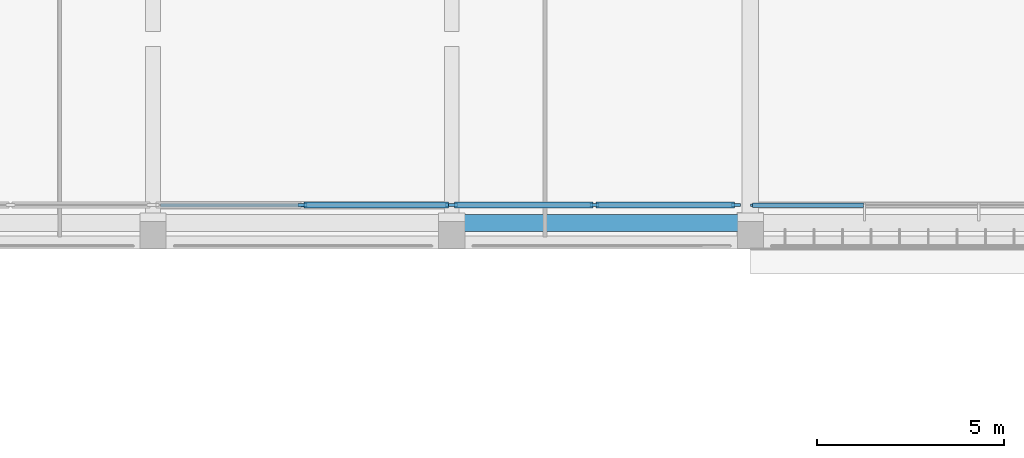
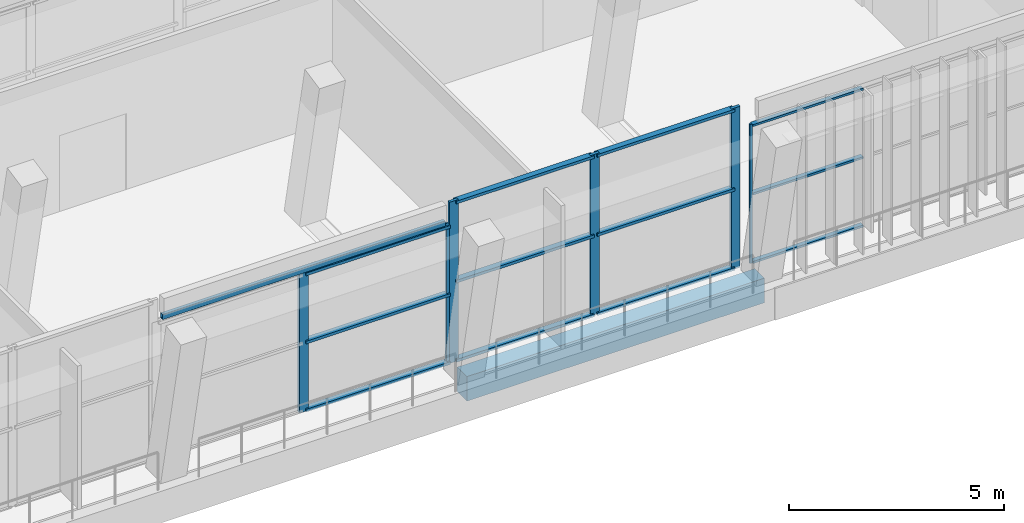
# One storey, part 6 of 73: 18 members, 2 beams, 3 elements without a shape of their own.
"""IFC4 building model written with IfcOpenShell, lengths in metres."""

from ifc_helpers import new_model, si_unit, direction, frame, origin, origin_2d, place, context, subcontext, project, spatial, rectangle, hollow_rectangle, extrude, material, material_profile, profile_set, type_object, element, aggregate, save


model = new_model("IFC4")

# Units and contexts
model_context = context("Model", 3, precision=1e-05, world=origin(), true_north=direction((0.0, 1.0)))
body_context = subcontext(model_context, "Body", "Model", "MODEL_VIEW")
ifc_project = project(units=[si_unit("LENGTHUNIT", "METRE"), si_unit("AREAUNIT", "SQUARE_METRE"), si_unit("VOLUMEUNIT", "CUBIC_METRE"), si_unit("PLANEANGLEUNIT", "RADIAN"), si_unit("MASSUNIT", "GRAM", prefix="KILO")], contexts=[model_context])

# Site, building, storey
site_placement = place(None, origin())
site = spatial("IfcSite", under=ifc_project, at=site_placement, CompositionType="ELEMENT")
building_placement = place(site_placement, origin())
building = spatial("IfcBuilding", under=site, at=building_placement, Name="Lantern Court Media Centre", CompositionType="ELEMENT")
storey_placement = place(building_placement, frame((0.0, 0.0, 24.0)))
storey = spatial("IfcBuildingStorey", under=building, at=storey_placement, Name="L05", CompositionType="ELEMENT", Elevation=24.0)

# Curtain wall, member
ifc_material_1 = material(Name="Curtain wall bay 3000")
curtain_wall_type_1 = type_object("IfcCurtainWallType", Name="Curtain wall bay 3000", PredefinedType="NOTDEFINED", material=ifc_material_1)
curtain_wall_1_placement = place(storey_placement, origin())
curtain_wall_1 = element("IfcCurtainWall", 1, at=curtain_wall_1_placement, inside=storey, type_object=curtain_wall_type_1, Name="Curtain wall S outer L05", PredefinedType="NOTDEFINED")
ifc_material_2 = material(Name="Anodised aluminium", Category="aluminium")
ifc_material_profile_1 = material_profile(ifc_material_2, rectangle(XDim=0.06005859375, YDim=0.06005859375, at=origin_2d()), Name="AL 60x60")
ifc_profile_set_1 = profile_set([ifc_material_profile_1], Name="Anodised aluminium")
member_type_1 = type_object("IfcMemberType", Name="Curtain wall mullion 60x60", PredefinedType="MULLION", material=ifc_profile_set_1)
member_1_placement = place(storey_placement, frame((64.030029296875, 44.14990234375, 0.0), z_axis=(0.0, 0.0, 1.0), x_axis=(0.0, 1.0, 0.0)))
member_1 = element("IfcMember", 2, at=member_1_placement, type_object=member_type_1, Name="CW1 mullion 1", PredefinedType="MULLION", context=body_context, shape_type="SweptSolid", body=[
    extrude(rectangle(XDim=0.06005859375, YDim=0.06005859375, at=origin_2d()), origin(), (0.0, 0.0, 1.0), 3.949951171875),
])

# Curtain wall, members
ifc_material_3 = material(Name="Curtain wall bay 4000")
curtain_wall_type_2 = type_object("IfcCurtainWallType", Name="Curtain wall bay 4000", PredefinedType="NOTDEFINED", material=ifc_material_3)
curtain_wall_2_placement = place(storey_placement, origin())
curtain_wall_2 = element("IfcCurtainWall", 3, at=curtain_wall_2_placement, inside=storey, type_object=curtain_wall_type_2, Name="Curtain wall S outer L05", PredefinedType="NOTDEFINED")
ifc_material_profile_2 = material_profile(ifc_material_2, rectangle(XDim=0.080078125, YDim=0.239990234375, at=origin_2d()), Name="AL 80x240")
ifc_profile_set_2 = profile_set([ifc_material_profile_2], Name="Anodised aluminium")
member_type_2 = type_object("IfcMemberType", Name="Curtain wall mullion 80x240", PredefinedType="MULLION", material=ifc_profile_set_2)
member_2_placement = place(storey_placement, frame((52.0, 44.14990234375, 0.0), z_axis=(0.0, 0.0, 1.0), x_axis=(0.0, 1.0, 0.0)))
member_2 = element("IfcMember", 4, at=member_2_placement, type_object=member_type_2, Name="CW3 mullion 2", PredefinedType="MULLION", context=body_context, shape_type="SweptSolid", body=[
    extrude(rectangle(XDim=0.080078125, YDim=0.239990234375, at=origin_2d()), origin(), (0.0, 0.0, 1.0), 3.949951171875),
])
member_3_placement = place(storey_placement, frame((55.9599609375, 44.14990234375, 0.0), z_axis=(0.0, 0.0, 1.0), x_axis=(0.0, 1.0, 0.0)))
member_3 = element("IfcMember", 5, at=member_3_placement, type_object=member_type_2, Name="CW3 mullion 3", PredefinedType="MULLION", context=body_context, shape_type="SweptSolid", body=[
    extrude(rectangle(XDim=0.080078125, YDim=0.239990234375, at=origin_2d()), origin(), (0.0, 0.0, 1.0), 3.949951171875),
])

curtain_wall_3_placement = place(storey_placement, origin())
curtain_wall_3 = element("IfcCurtainWall", 6, at=curtain_wall_3_placement, inside=storey, type_object=curtain_wall_type_2, Name="Curtain wall S outer L05", PredefinedType="NOTDEFINED")
member_4_placement = place(storey_placement, frame((56.0400390625, 44.14990234375, 0.0), z_axis=(0.0, 0.0, 1.0), x_axis=(0.0, 1.0, 0.0)))
member_4 = element("IfcMember", 7, at=member_4_placement, type_object=member_type_2, Name="CW3 mullion 1", PredefinedType="MULLION", context=body_context, shape_type="SweptSolid", body=[
    extrude(rectangle(XDim=0.080078125, YDim=0.239990234375, at=origin_2d()), origin(), (0.0, 0.0, 1.0), 4.580078125),
])
member_5_placement = place(storey_placement, frame((59.824951171875, 44.14990234375, 0.0), z_axis=(0.0, 0.0, 1.0), x_axis=(0.0, 1.0, 0.0)))
member_5 = element("IfcMember", 8, at=member_5_placement, type_object=member_type_2, Name="CW3 mullion 2", PredefinedType="MULLION", context=body_context, shape_type="SweptSolid", body=[
    extrude(rectangle(XDim=0.080078125, YDim=0.239990234375, at=origin_2d()), origin(), (0.0, 0.0, 1.0), 4.580078125),
])
member_6_placement = place(storey_placement, frame((63.610107421875, 44.14990234375, 0.0), z_axis=(0.0, 0.0, 1.0), x_axis=(0.0, 1.0, 0.0)))
member_6 = element("IfcMember", 9, at=member_6_placement, type_object=member_type_2, Name="CW3 mullion 3", PredefinedType="MULLION", context=body_context, shape_type="SweptSolid", body=[
    extrude(rectangle(XDim=0.080078125, YDim=0.239990234375, at=origin_2d()), origin(), (0.0, 0.0, 1.0), 4.580078125),
])

# Member
ifc_material_profile_3 = material_profile(ifc_material_2, rectangle(XDim=0.159912109375, YDim=0.080078125, at=origin_2d()), Name="AL 80x160")
ifc_profile_set_3 = profile_set([ifc_material_profile_3], Name="Anodised aluminium")
member_type_3 = type_object("IfcMemberType", Name="Curtain wall transom 160x80", PredefinedType="USERDEFINED", material=ifc_profile_set_3)
member_7_placement = place(storey_placement, frame((52.0400390625, 44.14990234375, 0.0400390625), z_axis=(1.0, 0.0, 0.0), x_axis=(0.0, 1.0, 0.0)))
member_7 = element("IfcMember", 10, at=member_7_placement, type_object=member_type_3, Name="CW3 transom 2.1", ObjectType="TRANSOM", PredefinedType="USERDEFINED", context=body_context, shape_type="SweptSolid", body=[
    extrude(rectangle(XDim=0.159912109375, YDim=0.080078125, at=origin_2d()), origin(), (0.0, 0.0, 1.0), 3.8798828125),
])

member_8_placement = place(storey_placement, frame((52.0400390625, 44.14990234375, 1.97509765625), z_axis=(1.0, 0.0, 0.0), x_axis=(0.0, 1.0, 0.0)))
member_8 = element("IfcMember", 11, at=member_8_placement, type_object=member_type_3, Name="CW3 transom 2.2", ObjectType="TRANSOM", PredefinedType="USERDEFINED", context=body_context, shape_type="SweptSolid", body=[
    extrude(rectangle(XDim=0.159912109375, YDim=0.080078125, at=origin_2d()), origin(), (0.0, 0.0, 1.0), 3.8798828125),
])

member_9_placement = place(storey_placement, frame((52.0400390625, 44.14990234375, 3.909912109375), z_axis=(1.0, 0.0, 0.0), x_axis=(0.0, 1.0, 0.0)))
member_9 = element("IfcMember", 12, at=member_9_placement, type_object=member_type_3, Name="CW3 transom 2.3", ObjectType="TRANSOM", PredefinedType="USERDEFINED", context=body_context, shape_type="SweptSolid", body=[
    extrude(rectangle(XDim=0.159912109375, YDim=0.080078125, at=origin_2d()), origin(), (0.0, 0.0, 1.0), 3.8798828125),
])

aggregate(curtain_wall_2, [member_2, member_3, member_7, member_8, member_9])

member_10_placement = place(storey_placement, frame((56.080078125, 44.14990234375, 0.0400390625), z_axis=(1.0, 0.0, 0.0), x_axis=(0.0, 1.0, 0.0)))
member_10 = element("IfcMember", 13, at=member_10_placement, type_object=member_type_3, Name="CW3 transom 1.1", ObjectType="TRANSOM", PredefinedType="USERDEFINED", context=body_context, shape_type="SweptSolid", body=[
    extrude(rectangle(XDim=0.159912109375, YDim=0.080078125, at=origin_2d()), origin(), (0.0, 0.0, 1.0), 3.704833984375),
])

member_11_placement = place(storey_placement, frame((56.080078125, 44.14990234375, 2.2900390625), z_axis=(1.0, 0.0, 0.0), x_axis=(0.0, 1.0, 0.0)))
member_11 = element("IfcMember", 14, at=member_11_placement, type_object=member_type_3, Name="CW3 transom 1.2", ObjectType="TRANSOM", PredefinedType="USERDEFINED", context=body_context, shape_type="SweptSolid", body=[
    extrude(rectangle(XDim=0.159912109375, YDim=0.080078125, at=origin_2d()), origin(), (0.0, 0.0, 1.0), 3.704833984375),
])

member_12_placement = place(storey_placement, frame((56.080078125, 44.14990234375, 4.5400390625), z_axis=(1.0, 0.0, 0.0), x_axis=(0.0, 1.0, 0.0)))
member_12 = element("IfcMember", 15, at=member_12_placement, type_object=member_type_3, Name="CW3 transom 1.3", ObjectType="TRANSOM", PredefinedType="USERDEFINED", context=body_context, shape_type="SweptSolid", body=[
    extrude(rectangle(XDim=0.159912109375, YDim=0.080078125, at=origin_2d()), origin(), (0.0, 0.0, 1.0), 3.704833984375),
])

member_13_placement = place(storey_placement, frame((59.864990234375, 44.14990234375, 0.0400390625), z_axis=(1.0, 0.0, 0.0), x_axis=(0.0, 1.0, 0.0)))
member_13 = element("IfcMember", 16, at=member_13_placement, type_object=member_type_3, Name="CW3 transom 2.1", ObjectType="TRANSOM", PredefinedType="USERDEFINED", context=body_context, shape_type="SweptSolid", body=[
    extrude(rectangle(XDim=0.159912109375, YDim=0.080078125, at=origin_2d()), origin(), (0.0, 0.0, 1.0), 3.705078125),
])

member_14_placement = place(storey_placement, frame((59.864990234375, 44.14990234375, 2.2900390625), z_axis=(1.0, 0.0, 0.0), x_axis=(0.0, 1.0, 0.0)))
member_14 = element("IfcMember", 17, at=member_14_placement, type_object=member_type_3, Name="CW3 transom 2.2", ObjectType="TRANSOM", PredefinedType="USERDEFINED", context=body_context, shape_type="SweptSolid", body=[
    extrude(rectangle(XDim=0.159912109375, YDim=0.080078125, at=origin_2d()), origin(), (0.0, 0.0, 1.0), 3.705078125),
])

member_15_placement = place(storey_placement, frame((59.864990234375, 44.14990234375, 4.5400390625), z_axis=(1.0, 0.0, 0.0), x_axis=(0.0, 1.0, 0.0)))
member_15 = element("IfcMember", 18, at=member_15_placement, type_object=member_type_3, Name="CW3 transom 2.3", ObjectType="TRANSOM", PredefinedType="USERDEFINED", context=body_context, shape_type="SweptSolid", body=[
    extrude(rectangle(XDim=0.159912109375, YDim=0.080078125, at=origin_2d()), origin(), (0.0, 0.0, 1.0), 3.705078125),
])

aggregate(curtain_wall_3, [member_4, member_5, member_6, member_10, member_11, member_12, member_13, member_14, member_15])

ifc_material_profile_4 = material_profile(ifc_material_2, rectangle(XDim=0.1201171875, YDim=0.06005859375, at=origin_2d()), Name="AL 60x120")
ifc_profile_set_4 = profile_set([ifc_material_profile_4], Name="Anodised aluminium")
member_type_4 = type_object("IfcMemberType", Name="Curtain wall transom 60x120", PredefinedType="USERDEFINED", material=ifc_profile_set_4)
member_16_placement = place(storey_placement, frame((64.06005859375, 44.14990234375, 0.030029296875), z_axis=(1.0, 0.0, 0.0), x_axis=(0.0, 1.0, 0.0)))
member_16 = element("IfcMember", 19, at=member_16_placement, type_object=member_type_4, Name="CW1 transom 1.1", ObjectType="TRANSOM", PredefinedType="USERDEFINED", context=body_context, shape_type="SweptSolid", body=[
    extrude(rectangle(XDim=0.1201171875, YDim=0.06005859375, at=origin_2d()), origin(), (0.0, 0.0, 1.0), 2.969970703125),
])

member_17_placement = place(storey_placement, frame((64.06005859375, 44.14990234375, 1.97509765625), z_axis=(1.0, 0.0, 0.0), x_axis=(0.0, 1.0, 0.0)))
member_17 = element("IfcMember", 20, at=member_17_placement, type_object=member_type_4, Name="CW1 transom 1.2", ObjectType="TRANSOM", PredefinedType="USERDEFINED", context=body_context, shape_type="SweptSolid", body=[
    extrude(rectangle(XDim=0.1201171875, YDim=0.06005859375, at=origin_2d()), origin(), (0.0, 0.0, 1.0), 2.969970703125),
])

member_18_placement = place(storey_placement, frame((64.06005859375, 44.14990234375, 3.919921875), z_axis=(1.0, 0.0, 0.0), x_axis=(0.0, 1.0, 0.0)))
member_18 = element("IfcMember", 21, at=member_18_placement, type_object=member_type_4, Name="CW1 transom 1.3", ObjectType="TRANSOM", PredefinedType="USERDEFINED", context=body_context, shape_type="SweptSolid", body=[
    extrude(rectangle(XDim=0.1201171875, YDim=0.06005859375, at=origin_2d()), origin(), (0.0, 0.0, 1.0), 2.969970703125),
])

aggregate(curtain_wall_1, [member_1, member_16, member_17, member_18])

# Beams
ifc_material_4 = material(Name="Steel S355J2 (EN 10025-2)", Category="steel")
ifc_material_profile_5 = material_profile(ifc_material_4, hollow_rectangle(XDim=0.10009765625, YDim=0.14990234375, WallThickness=0.00634765625, InnerFilletRadius=0.00634765625, OuterFilletRadius=0.009521484375, at=origin_2d()), Name="Facade head lintel RHS 150x100x6.3")
ifc_profile_set_5 = profile_set([ifc_material_profile_5], Name="Steel S355J2 (EN 10025-2)")
beam_type_1 = type_object("IfcBeamType", Name="Facade head lintel RHS 150x100x6.3", PredefinedType="BEAM", material=ifc_profile_set_5)
beam_1_placement = place(storey_placement, frame((48.199951171875, 44.14990234375, 4.02490234375), z_axis=(1.0, 0.0, 0.0), x_axis=(0.0, 1.0, 0.0)))
element("IfcBeam", 22, at=beam_1_placement, inside=storey, type_object=beam_type_1, Name="Facade head lintel S L05", PredefinedType="BEAM", context=body_context, shape_type="SweptSolid", body=[
    extrude(hollow_rectangle(XDim=0.10009765625, YDim=0.14990234375, WallThickness=0.00634765625, InnerFilletRadius=0.00634765625, OuterFilletRadius=0.009521484375, at=origin_2d()), origin(), (0.0, 0.0, 1.0), 7.60009765625),
])
ifc_material_5 = material(Name="Concrete C35", Category="concrete")
ifc_material_profile_6 = material_profile(ifc_material_5, rectangle(XDim=0.449951171875, YDim=0.699951171875, at=origin_2d()), Name="RC 450x700")
ifc_profile_set_6 = profile_set([ifc_material_profile_6], Name="Concrete C35")
beam_type_2 = type_object("IfcBeamType", Name="RC BEAM 450x700", PredefinedType="BEAM", material=ifc_profile_set_6)
beam_2_placement = place(storey_placement, frame((56.0, 43.6728515625, -0.35009765625), z_axis=(1.0, 0.0, 0.0), x_axis=(0.0, 1.0, 0.0)))
element("IfcBeam", 23, at=beam_2_placement, inside=storey, type_object=beam_type_2, Name="LB-S-L05-0-4", PredefinedType="BEAM", context=body_context, shape_type="SweptSolid", body=[
    extrude(rectangle(XDim=0.449951171875, YDim=0.699951171875, at=origin_2d()), origin(), (0.0, 0.0, 1.0), 8.0),
])

save(model, "model.ifc")
